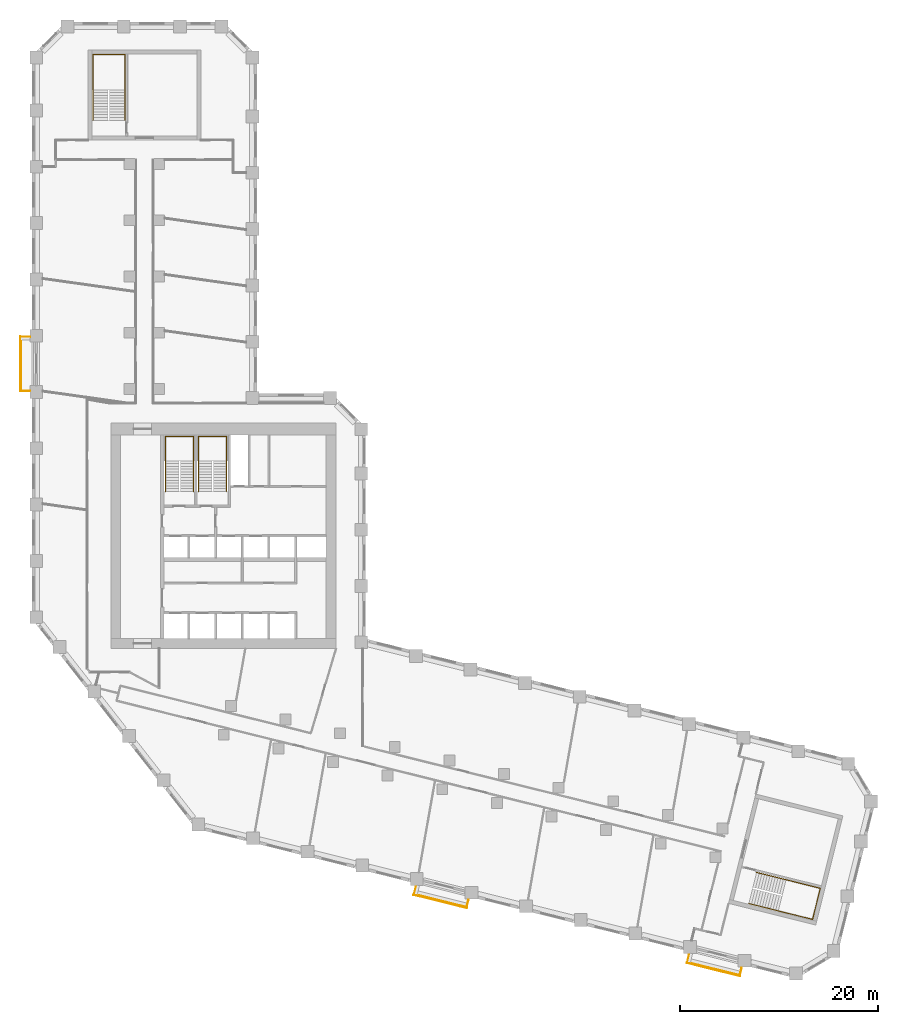
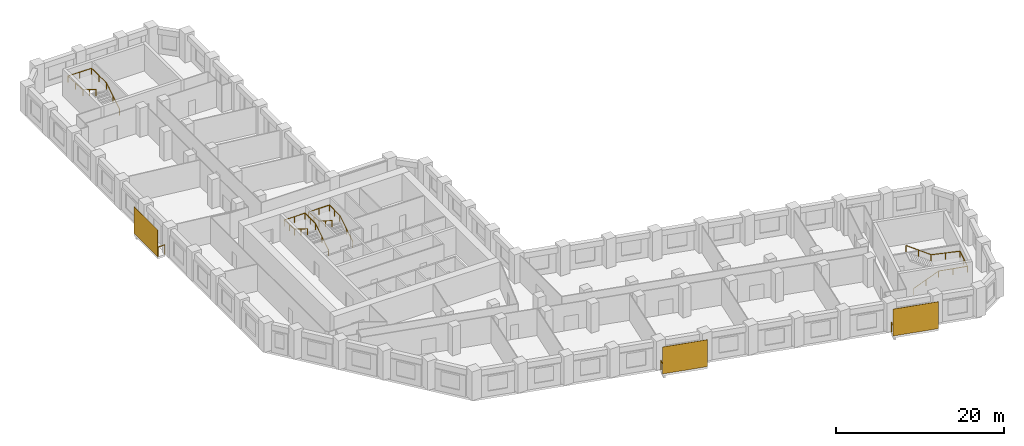
# One storey, part 10 of 10: 7 railings, 3 shading devices.
"""IFC4 building model written with IfcOpenShell, lengths in metres."""

from ifc_helpers import new_model, si_unit, direction, frame, origin, origin_2d, place, context, subcontext, project, spatial, rectangle, circle, extrude, material, layer, layer_set, type_object, element, save


model = new_model("IFC4")

# Units and contexts
model_context = context("Model", 3, precision=1e-05, world=origin(), true_north=direction((0.0, 1.0)))
body_context = subcontext(model_context, "Body", "Model", "MODEL_VIEW")
ifc_project = project(units=[si_unit("LENGTHUNIT", "METRE"), si_unit("AREAUNIT", "SQUARE_METRE"), si_unit("VOLUMEUNIT", "CUBIC_METRE"), si_unit("PLANEANGLEUNIT", "RADIAN"), si_unit("MASSUNIT", "GRAM", prefix="KILO")], contexts=[model_context])

# Site, building, storey
site_placement = place(None, origin())
site = spatial("IfcSite", under=ifc_project, at=site_placement, CompositionType="ELEMENT")
building_placement = place(site_placement, origin())
building = spatial("IfcBuilding", under=site, at=building_placement, Name="Meshkara Civic Tower", CompositionType="ELEMENT")
storey_placement = place(building_placement, frame((0.0, 0.0, 109.800048828125)))
storey = spatial("IfcBuildingStorey", under=building, at=storey_placement, Name="L24", CompositionType="ELEMENT", Elevation=109.800048828125)

# Railings
ifc_material_1 = material(Name="Steel S355", Category="steel")
railing_type_1 = type_object("IfcRailingType", Name="BALUSTRADE GUARD 1400", PredefinedType="BALUSTRADE", material=ifc_material_1)
railing_1_placement = place(storey_placement, frame((-0.199951171875, 45.635009765625, 0.0)))
element("IfcRailing", 1, at=railing_1_placement, inside=storey, type_object=railing_type_1, Name="Balcony guard", PredefinedType="BALUSTRADE", context=body_context, shape_type="SweptSolid", body=[
    extrude(circle(Radius=0.02392578125, at=origin_2d()), frame((0.0, 0.0, 1.3759765625), z_axis=(-1.0, 0.0, 0.0), x_axis=(0.0, -1.0, 0.0)), (0.0, 0.0, 1.0), 0.91015625),
    extrude(circle(Radius=0.02392578125, at=origin_2d()), frame((-0.91015625, 0.0, 1.3759765625), z_axis=(0.0, -1.0, 0.0), x_axis=(1.0, 0.0, 0.0)), (0.0, 0.0, 1.0), 5.4599609375),
    extrude(circle(Radius=0.02392578125, at=origin_2d()), frame((-0.91015625, -5.4599609375, 1.3759765625), z_axis=(1.0, 0.0, 0.0), x_axis=(0.0, 1.0, 0.0)), (0.0, 0.0, 1.0), 0.91015625),
    extrude(circle(Radius=0.02099609375, at=origin_2d()), origin(), (0.0, 0.0, 1.0), 1.351806640625),
    extrude(circle(Radius=0.02099609375, at=origin_2d()), frame((-0.91015625, 0.0, 0.0)), (0.0, 0.0, 1.0), 1.351806640625),
    extrude(circle(Radius=0.02099609375, at=origin_2d()), frame((-0.91015625, -1.092041015625, 0.0)), (0.0, 0.0, 1.0), 1.351806640625),
    extrude(circle(Radius=0.02099609375, at=origin_2d()), frame((-0.91015625, -2.18408203125, 0.0)), (0.0, 0.0, 1.0), 1.351806640625),
    extrude(circle(Radius=0.02099609375, at=origin_2d()), frame((-0.91015625, -3.27587890625, 0.0)), (0.0, 0.0, 1.0), 1.351806640625),
    extrude(circle(Radius=0.02099609375, at=origin_2d()), frame((-0.91015625, -4.367919921875, 0.0)), (0.0, 0.0, 1.0), 1.351806640625),
    extrude(circle(Radius=0.02099609375, at=origin_2d()), frame((-0.91015625, -5.4599609375, 0.0)), (0.0, 0.0, 1.0), 1.351806640625),
    extrude(circle(Radius=0.02099609375, at=origin_2d()), frame((0.0, -5.4599609375, 0.0)), (0.0, 0.0, 1.0), 1.351806640625),
])
railing_2_placement = place(storey_placement, frame((38.89990234375, -10.047119140625, 0.0)))
element("IfcRailing", 2, at=railing_2_placement, inside=storey, type_object=railing_type_1, Name="Balcony guard", PredefinedType="BALUSTRADE", context=body_context, shape_type="SweptSolid", body=[
    extrude(circle(Radius=0.02392578125, at=origin_2d()), frame((0.0, 0.0, 1.3759765625), z_axis=(-0.242312323582, -0.970198298205, 0.0), x_axis=(0.970198298205, -0.242312323582, 0.0)), (0.0, 0.0, 1.0), 0.771728515625),
    extrude(circle(Radius=0.02392578125, at=origin_2d()), frame((-0.18701171875, -0.748779296875, 1.3759765625), z_axis=(0.970292231073, -0.24193591366, 0.0), x_axis=(0.24193591366, 0.970292231073, 0.0)), (0.0, 0.0, 1.0), 5.460205078125),
    extrude(circle(Radius=0.02392578125, at=origin_2d()), frame((5.111083984375, -2.06982421875, 1.3759765625), z_axis=(0.242237978263, 0.970216863329, 0.0), x_axis=(-0.970216863329, 0.242237978263, 0.0)), (0.0, 0.0, 1.0), 0.77197265625),
    extrude(circle(Radius=0.02099609375, at=origin_2d()), origin(), (0.0, 0.0, 1.0), 1.351806640625),
    extrude(circle(Radius=0.02099609375, at=origin_2d()), frame((-0.18701171875, -0.748779296875, 0.0)), (0.0, 0.0, 1.0), 1.351806640625),
    extrude(circle(Radius=0.02099609375, at=origin_2d()), frame((0.87255859375, -1.012939453125, 0.0)), (0.0, 0.0, 1.0), 1.351806640625),
    extrude(circle(Radius=0.02099609375, at=origin_2d()), frame((1.93212890625, -1.277099609375, 0.0)), (0.0, 0.0, 1.0), 1.351806640625),
    extrude(circle(Radius=0.02099609375, at=origin_2d()), frame((2.991943359375, -1.54150390625, 0.0)), (0.0, 0.0, 1.0), 1.351806640625),
    extrude(circle(Radius=0.02099609375, at=origin_2d()), frame((4.051513671875, -1.8056640625, 0.0)), (0.0, 0.0, 1.0), 1.351806640625),
    extrude(circle(Radius=0.02099609375, at=origin_2d()), frame((5.111083984375, -2.06982421875, 0.0)), (0.0, 0.0, 1.0), 1.351806640625),
    extrude(circle(Radius=0.02099609375, at=origin_2d()), frame((5.298095703125, -1.32080078125, 0.0)), (0.0, 0.0, 1.0), 1.351806640625),
])
railing_3_placement = place(storey_placement, frame((66.552978515625, -16.94091796875, 0.0)))
element("IfcRailing", 3, at=railing_3_placement, inside=storey, type_object=railing_type_1, Name="Balcony guard", PredefinedType="BALUSTRADE", context=body_context, shape_type="SweptSolid", body=[
    extrude(circle(Radius=0.02392578125, at=origin_2d()), frame((0.0, 0.0, 1.3759765625), z_axis=(-0.241941038466, -0.970290953223, 0.0), x_axis=(0.970290953223, -0.241941038466, 0.0)), (0.0, 0.0, 1.0), 0.77294921875),
    extrude(circle(Radius=0.02392578125, at=origin_2d()), frame((-0.18701171875, -0.75, 1.3759765625), z_axis=(0.97033420246, -0.241767523741, 0.0), x_axis=(0.241767523741, 0.97033420246, 0.0)), (0.0, 0.0, 1.0), 5.4599609375),
    extrude(circle(Radius=0.02392578125, at=origin_2d()), frame((5.111083984375, -2.070068359375, 1.3759765625), z_axis=(0.242237978263, 0.970216863329, 0.0), x_axis=(-0.970216863329, 0.242237978263, 0.0)), (0.0, 0.0, 1.0), 0.77197265625),
    extrude(circle(Radius=0.02099609375, at=origin_2d()), origin(), (0.0, 0.0, 1.0), 1.351806640625),
    extrude(circle(Radius=0.02099609375, at=origin_2d()), frame((-0.18701171875, -0.75, 0.0)), (0.0, 0.0, 1.0), 1.351806640625),
    extrude(circle(Radius=0.02099609375, at=origin_2d()), frame((0.87255859375, -1.013916015625, 0.0)), (0.0, 0.0, 1.0), 1.351806640625),
    extrude(circle(Radius=0.02099609375, at=origin_2d()), frame((1.93212890625, -1.278076171875, 0.0)), (0.0, 0.0, 1.0), 1.351806640625),
    extrude(circle(Radius=0.02099609375, at=origin_2d()), frame((2.991943359375, -1.5419921875, 0.0)), (0.0, 0.0, 1.0), 1.351806640625),
    extrude(circle(Radius=0.02099609375, at=origin_2d()), frame((4.051513671875, -1.80615234375, 0.0)), (0.0, 0.0, 1.0), 1.351806640625),
    extrude(circle(Radius=0.02099609375, at=origin_2d()), frame((5.111083984375, -2.070068359375, 0.0)), (0.0, 0.0, 1.0), 1.351806640625),
    extrude(circle(Radius=0.02099609375, at=origin_2d()), frame((5.298095703125, -1.321044921875, 0.0)), (0.0, 0.0, 1.0), 1.351806640625),
])

# Shading devices
ifc_material_2 = material(Name="Perforated bronze anodised aluminium sheet", Category="aluminium")
ifc_layer = layer(ifc_material_2, 0.0400390625)
ifc_layer_set = layer_set([ifc_layer], Name="PERFORATED BRONZE SCREEN")
shading_device_type = type_object("IfcShadingDeviceType", Name="PERFORATED BRONZE SCREEN", PredefinedType="USERDEFINED", material=ifc_layer_set)
for number, where, z_axis, x_axis, name in (
    (4, (-1.179931640625, 42.905029296875, 0.0), (0.0, 0.0, 1.0), (0.0, -1.0, 0.0), "Balcony screen"),
    (5, (41.344970703125, -11.52490234375, 0.0), (0.0, 0.0, 1.0), (0.970299948462, -0.241904960708, 0.0), "Balcony screen"),
    (6, (68.998046875, -18.4189453125, 0.0), (0.0, 0.0, 1.0), (0.970299948462, -0.241904960708, 0.0), "Balcony screen"),
):
    element("IfcShadingDevice", number, at=place(storey_placement, frame(where, z_axis=z_axis, x_axis=x_axis)), inside=storey, type_object=shading_device_type, Name=name, ObjectType="SCREEN", PredefinedType="USERDEFINED", context=body_context, shape_type="SweptSolid", body=[
        extrude(rectangle(XDim=5.580078125, YDim=0.0400390625, at=origin_2d()), origin(), (0.0, 0.0, 1.0), 3.89990234375),
    ])

# Railings
ifc_material_3 = material(Name="Steel handrail", Category="steel")
railing_type_2 = type_object("IfcRailingType", Name="Stair handrail 900", PredefinedType="HANDRAIL", material=ifc_material_3)
railing_4_placement = place(storey_placement, frame((16.375, 30.0, 0.175048828125)))
element("IfcRailing", 7, at=railing_4_placement, inside=storey, type_object=railing_type_2, Name="L24 ST1 stair handrail 1", PredefinedType="HANDRAIL", context=body_context, shape_type="SweptSolid", body=[
    extrude(circle(Radius=0.02392578125, at=origin_2d()), frame((0.0, 0.0, 0.8759765625), z_axis=(0.0, 0.848028513186, 0.529950602248), x_axis=(-1.0, 0.0, 0.0)), (0.0, 0.0, 1.0), 3.632080078125),
    extrude(circle(Radius=0.02392578125, at=origin_2d()), frame((0.0, 3.080078125, 2.80078125), z_axis=(0.0, 1.0, 0.0), x_axis=(-1.0, 0.0, 0.0)), (0.0, 0.0, 1.0), 2.469970703125),
    extrude(circle(Radius=0.02392578125, at=origin_2d()), frame((0.0, 5.550048828125, 2.80078125), z_axis=(-1.0, 0.0, 0.0), x_axis=(0.0, -1.0, 0.0)), (0.0, 0.0, 1.0), 2.85009765625),
    extrude(circle(Radius=0.02392578125, at=origin_2d()), frame((-2.85009765625, 5.550048828125, 2.80078125), z_axis=(0.0, -0.997498084828, 0.070693498747), x_axis=(1.0, 0.0, 0.0)), (0.0, 0.0, 1.0), 2.47607421875),
    extrude(circle(Radius=0.02392578125, at=origin_2d()), frame((-2.85009765625, 3.080078125, 2.9755859375), z_axis=(0.0, -0.847998304005, 0.529998940003), x_axis=(1.0, 0.0, 0.0)), (0.0, 0.0, 1.0), 3.632080078125),
    extrude(circle(Radius=0.02099609375, at=origin_2d()), origin(), (0.0, 0.0, 1.0), 0.851806640625),
    extrude(circle(Radius=0.02099609375, at=origin_2d()), frame((0.0, 1.5400390625, 0.96240234375)), (0.0, 0.0, 1.0), 0.851806640625),
    extrude(circle(Radius=0.02099609375, at=origin_2d()), frame((0.0, 3.080078125, 1.9248046875)), (0.0, 0.0, 1.0), 0.851806640625),
    extrude(circle(Radius=0.02099609375, at=origin_2d()), frame((0.0, 4.31494140625, 1.9248046875)), (0.0, 0.0, 1.0), 0.851806640625),
    extrude(circle(Radius=0.02099609375, at=origin_2d()), frame((0.0, 5.550048828125, 1.9248046875)), (0.0, 0.0, 1.0), 0.851806640625),
    extrude(circle(Radius=0.02099609375, at=origin_2d()), frame((-1.425048828125, 5.550048828125, 1.9248046875)), (0.0, 0.0, 1.0), 0.851806640625),
    extrude(circle(Radius=0.02099609375, at=origin_2d()), frame((-2.85009765625, 5.550048828125, 1.9248046875)), (0.0, 0.0, 1.0), 0.851806640625),
    extrude(circle(Radius=0.02099609375, at=origin_2d()), frame((-2.85009765625, 4.31494140625, 2.01220703125)), (0.0, 0.0, 1.0), 0.851806640625),
    extrude(circle(Radius=0.02099609375, at=origin_2d()), frame((-2.85009765625, 3.080078125, 2.099853515625)), (0.0, 0.0, 1.0), 0.851806640625),
    extrude(circle(Radius=0.02099609375, at=origin_2d()), frame((-2.85009765625, 1.5400390625, 3.0625)), (0.0, 0.0, 1.0), 0.851806640625),
    extrude(circle(Radius=0.02099609375, at=origin_2d()), frame((-2.85009765625, 0.0, 4.02490234375)), (0.0, 0.0, 1.0), 0.851806640625),
])
railing_5_placement = place(storey_placement, frame((19.72509765625, 30.0, 0.175048828125)))
element("IfcRailing", 8, at=railing_5_placement, inside=storey, type_object=railing_type_2, Name="L24 ST2 stair handrail 1", PredefinedType="HANDRAIL", context=body_context, shape_type="SweptSolid", body=[
    extrude(circle(Radius=0.02392578125, at=origin_2d()), frame((0.0, 0.0, 0.8759765625), z_axis=(0.0, 0.848028513186, 0.529950602248), x_axis=(-1.0, 0.0, 0.0)), (0.0, 0.0, 1.0), 3.632080078125),
    extrude(circle(Radius=0.02392578125, at=origin_2d()), frame((0.0, 3.080078125, 2.80078125), z_axis=(0.0, 1.0, 0.0), x_axis=(-1.0, 0.0, 0.0)), (0.0, 0.0, 1.0), 2.469970703125),
    extrude(circle(Radius=0.02392578125, at=origin_2d()), frame((0.0, 5.550048828125, 2.80078125), z_axis=(-1.0, 0.0, 0.0), x_axis=(0.0, -1.0, 0.0)), (0.0, 0.0, 1.0), 2.85009765625),
    extrude(circle(Radius=0.02392578125, at=origin_2d()), frame((-2.85009765625, 5.550048828125, 2.80078125), z_axis=(0.0, -0.997498084828, 0.070693498747), x_axis=(1.0, 0.0, 0.0)), (0.0, 0.0, 1.0), 2.47607421875),
    extrude(circle(Radius=0.02392578125, at=origin_2d()), frame((-2.85009765625, 3.080078125, 2.9755859375), z_axis=(0.0, -0.847998304005, 0.529998940003), x_axis=(1.0, 0.0, 0.0)), (0.0, 0.0, 1.0), 3.632080078125),
    extrude(circle(Radius=0.02099609375, at=origin_2d()), origin(), (0.0, 0.0, 1.0), 0.851806640625),
    extrude(circle(Radius=0.02099609375, at=origin_2d()), frame((0.0, 1.5400390625, 0.96240234375)), (0.0, 0.0, 1.0), 0.851806640625),
    extrude(circle(Radius=0.02099609375, at=origin_2d()), frame((0.0, 3.080078125, 1.9248046875)), (0.0, 0.0, 1.0), 0.851806640625),
    extrude(circle(Radius=0.02099609375, at=origin_2d()), frame((0.0, 4.31494140625, 1.9248046875)), (0.0, 0.0, 1.0), 0.851806640625),
    extrude(circle(Radius=0.02099609375, at=origin_2d()), frame((0.0, 5.550048828125, 1.9248046875)), (0.0, 0.0, 1.0), 0.851806640625),
    extrude(circle(Radius=0.02099609375, at=origin_2d()), frame((-1.425048828125, 5.550048828125, 1.9248046875)), (0.0, 0.0, 1.0), 0.851806640625),
    extrude(circle(Radius=0.02099609375, at=origin_2d()), frame((-2.85009765625, 5.550048828125, 1.9248046875)), (0.0, 0.0, 1.0), 0.851806640625),
    extrude(circle(Radius=0.02099609375, at=origin_2d()), frame((-2.85009765625, 4.31494140625, 2.01220703125)), (0.0, 0.0, 1.0), 0.851806640625),
    extrude(circle(Radius=0.02099609375, at=origin_2d()), frame((-2.85009765625, 3.080078125, 2.099853515625)), (0.0, 0.0, 1.0), 0.851806640625),
    extrude(circle(Radius=0.02099609375, at=origin_2d()), frame((-2.85009765625, 1.5400390625, 3.0625)), (0.0, 0.0, 1.0), 0.851806640625),
    extrude(circle(Radius=0.02099609375, at=origin_2d()), frame((-2.85009765625, 0.0, 4.02490234375)), (0.0, 0.0, 1.0), 0.851806640625),
])
railing_6_placement = place(storey_placement, frame((9.425048828125, 67.570068359375, 0.175048828125)))
element("IfcRailing", 9, at=railing_6_placement, inside=storey, type_object=railing_type_2, Name="L24 ESA2 stair handrail 1", PredefinedType="HANDRAIL", context=body_context, shape_type="SweptSolid", body=[
    extrude(circle(Radius=0.02392578125, at=origin_2d()), frame((0.0, 0.0, 0.8759765625), z_axis=(0.0, 0.848009633417, 0.529980812513), x_axis=(-1.0, 0.0, 0.0)), (0.0, 0.0, 1.0), 3.6318359375),
    extrude(circle(Radius=0.02392578125, at=origin_2d()), frame((0.0, 3.079833984375, 2.80078125), z_axis=(0.0, 1.0, 0.0), x_axis=(-1.0, 0.0, 0.0)), (0.0, 0.0, 1.0), 3.570068359375),
    extrude(circle(Radius=0.02392578125, at=origin_2d()), frame((0.0, 6.64990234375, 2.80078125), z_axis=(-1.0, 0.0, 0.0), x_axis=(0.0, -1.0, 0.0)), (0.0, 0.0, 1.0), 3.25),
    extrude(circle(Radius=0.02392578125, at=origin_2d()), frame((-3.25, 6.64990234375, 2.80078125), z_axis=(0.0, -0.998800077689, 0.048973511297), x_axis=(1.0, 0.0, 0.0)), (0.0, 0.0, 1.0), 3.574462890625),
    extrude(circle(Radius=0.02392578125, at=origin_2d()), frame((-3.25, 3.079833984375, 2.9755859375), z_axis=(0.0, -0.847979421464, 0.530029150871), x_axis=(1.0, 0.0, 0.0)), (0.0, 0.0, 1.0), 3.632080078125),
    extrude(circle(Radius=0.02099609375, at=origin_2d()), origin(), (0.0, 0.0, 1.0), 0.851806640625),
    extrude(circle(Radius=0.02099609375, at=origin_2d()), frame((0.0, 1.5400390625, 0.96240234375)), (0.0, 0.0, 1.0), 0.851806640625),
    extrude(circle(Radius=0.02099609375, at=origin_2d()), frame((0.0, 3.079833984375, 1.9248046875)), (0.0, 0.0, 1.0), 0.851806640625),
    extrude(circle(Radius=0.02099609375, at=origin_2d()), frame((0.0, 4.86474609375, 1.9248046875)), (0.0, 0.0, 1.0), 0.851806640625),
    extrude(circle(Radius=0.02099609375, at=origin_2d()), frame((0.0, 6.64990234375, 1.9248046875)), (0.0, 0.0, 1.0), 0.851806640625),
    extrude(circle(Radius=0.02099609375, at=origin_2d()), frame((-1.625, 6.64990234375, 1.9248046875)), (0.0, 0.0, 1.0), 0.851806640625),
    extrude(circle(Radius=0.02099609375, at=origin_2d()), frame((-3.25, 6.64990234375, 1.9248046875)), (0.0, 0.0, 1.0), 0.851806640625),
    extrude(circle(Radius=0.02099609375, at=origin_2d()), frame((-3.25, 4.86474609375, 2.01220703125)), (0.0, 0.0, 1.0), 0.851806640625),
    extrude(circle(Radius=0.02099609375, at=origin_2d()), frame((-3.25, 3.079833984375, 2.099853515625)), (0.0, 0.0, 1.0), 0.851806640625),
    extrude(circle(Radius=0.02099609375, at=origin_2d()), frame((-3.25, 1.5400390625, 3.0625)), (0.0, 0.0, 1.0), 0.851806640625),
    extrude(circle(Radius=0.02099609375, at=origin_2d()), frame((-3.25, 0.0, 4.02490234375)), (0.0, 0.0, 1.0), 0.851806640625),
])
railing_7_placement = place(storey_placement, frame((72.587158203125, -11.73388671875, 0.175048828125)))
element("IfcRailing", 10, at=railing_7_placement, inside=storey, type_object=railing_type_2, Name="L24 ESB2 stair handrail 1", PredefinedType="HANDRAIL", context=body_context, shape_type="SweptSolid", body=[
    extrude(circle(Radius=0.02392578125, at=origin_2d()), frame((0.0, 0.0, 0.8759765625), z_axis=(0.822789566377, -0.205294063375, 0.529973279519), x_axis=(0.242087961707, 0.97025430625, 0.0)), (0.0, 0.0, 1.0), 3.6318359375),
    extrude(circle(Radius=0.02392578125, at=origin_2d()), frame((2.98828125, -0.74560546875, 2.80078125), z_axis=(0.97025503065, -0.242085058395, 0.0), x_axis=(0.242085058395, 0.97025503065, 0.0)), (0.0, 0.0, 1.0), 3.570068359375),
    extrude(circle(Radius=0.02392578125, at=origin_2d()), frame((6.4521484375, -1.60986328125, 2.80078125), z_axis=(0.242040676986, 0.970266103027, 0.0), x_axis=(-0.970266103027, 0.242040676986, 0.0)), (0.0, 0.0, 1.0), 3.25),
    extrude(circle(Radius=0.02392578125, at=origin_2d()), frame((7.23876953125, 1.54345703125, 2.80078125), z_axis=(-0.969090793551, 0.241794573525, 0.048973646672), x_axis=(-0.242085058395, -0.97025503065, 0.0)), (0.0, 0.0, 1.0), 3.574462890625),
    extrude(circle(Radius=0.02392578125, at=origin_2d()), frame((3.77490234375, 2.40771484375, 2.9755859375), z_axis=(-0.82276025377, 0.205286749593, 0.530021617727), x_axis=(-0.242087961707, -0.97025430625, 0.0)), (0.0, 0.0, 1.0), 3.632080078125),
    extrude(circle(Radius=0.02099609375, at=origin_2d()), origin(), (0.0, 0.0, 1.0), 0.851806640625),
    extrude(circle(Radius=0.02099609375, at=origin_2d()), frame((1.494140625, -0.372802734375, 0.96240234375)), (0.0, 0.0, 1.0), 0.851806640625),
    extrude(circle(Radius=0.02099609375, at=origin_2d()), frame((2.98828125, -0.74560546875, 1.9248046875)), (0.0, 0.0, 1.0), 0.851806640625),
    extrude(circle(Radius=0.02099609375, at=origin_2d()), frame((4.72021484375, -1.177734375, 1.9248046875)), (0.0, 0.0, 1.0), 0.851806640625),
    extrude(circle(Radius=0.02099609375, at=origin_2d()), frame((6.4521484375, -1.60986328125, 1.9248046875)), (0.0, 0.0, 1.0), 0.851806640625),
    extrude(circle(Radius=0.02099609375, at=origin_2d()), frame((6.845458984375, -0.033203125, 1.9248046875)), (0.0, 0.0, 1.0), 0.851806640625),
    extrude(circle(Radius=0.02099609375, at=origin_2d()), frame((7.23876953125, 1.54345703125, 1.9248046875)), (0.0, 0.0, 1.0), 0.851806640625),
    extrude(circle(Radius=0.02099609375, at=origin_2d()), frame((5.5068359375, 1.9755859375, 2.01220703125)), (0.0, 0.0, 1.0), 0.851806640625),
    extrude(circle(Radius=0.02099609375, at=origin_2d()), frame((3.77490234375, 2.40771484375, 2.099853515625)), (0.0, 0.0, 1.0), 0.851806640625),
    extrude(circle(Radius=0.02099609375, at=origin_2d()), frame((2.28076171875, 2.780517578125, 3.0625)), (0.0, 0.0, 1.0), 0.851806640625),
    extrude(circle(Radius=0.02099609375, at=origin_2d()), frame((0.78662109375, 3.1533203125, 4.02490234375)), (0.0, 0.0, 1.0), 0.851806640625),
])

save(model, "model.ifc")
